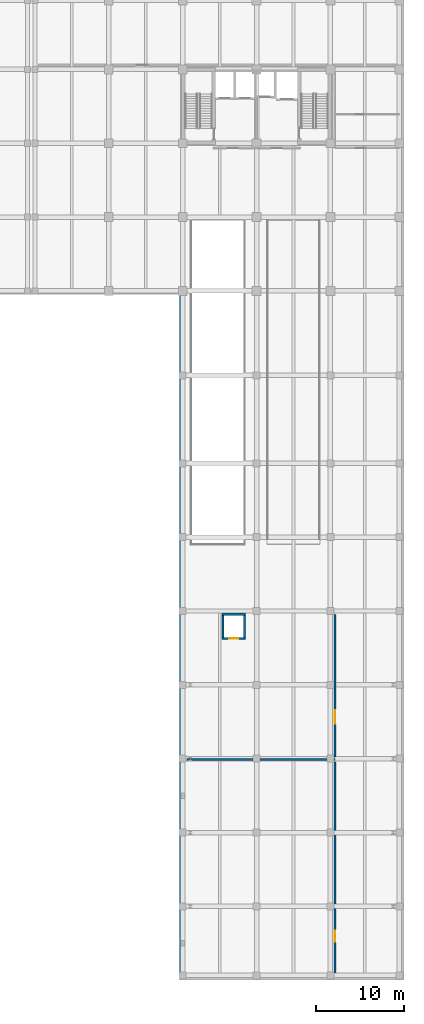
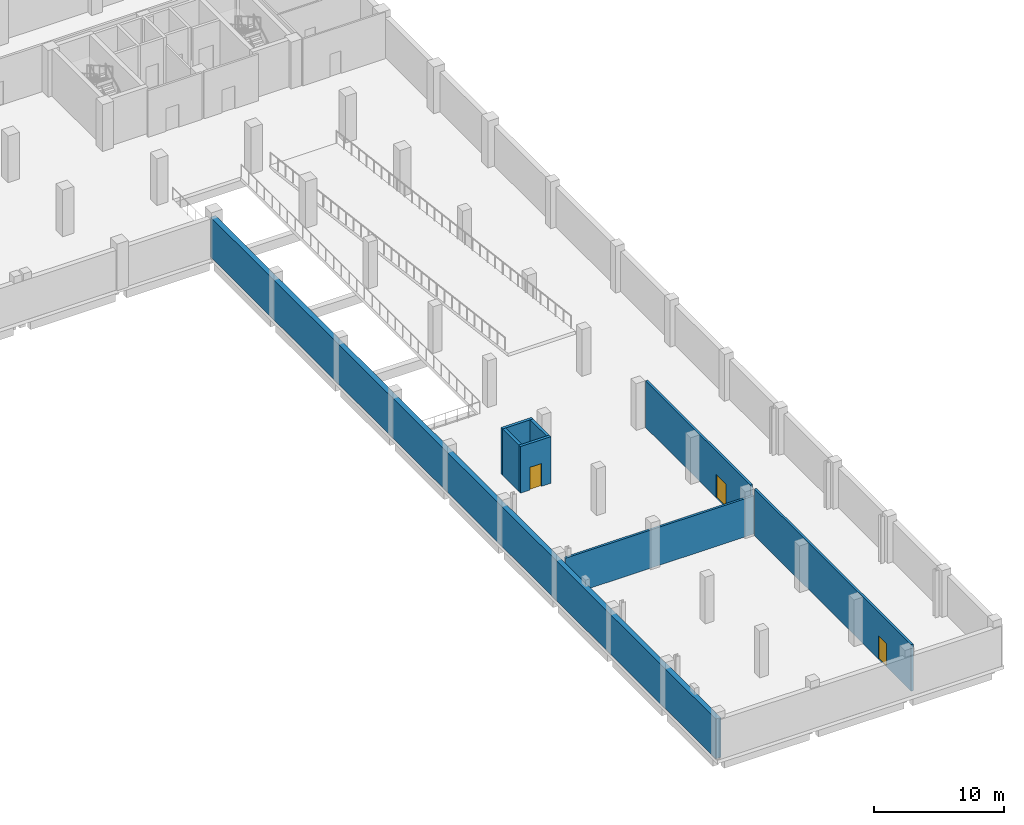
# One storey, part 11 of 17: 8 walls, 3 doors, 3 openings.
"""IFC4 building model written with IfcOpenShell, lengths in metres."""

from ifc_helpers import new_model, si_unit, direction, frame, frame_2d, origin, place, context, subcontext, project, spatial, rectangle, extrude, material, layer, layer_set, type_object, element, fill, save


model = new_model("IFC4")

# Units and contexts
model_context = context("Model", 3, precision=1e-05, world=origin(), true_north=direction((0.0, 1.0)))
body_context = subcontext(model_context, "Body", "Model", "MODEL_VIEW")
ifc_project = project(units=[si_unit("LENGTHUNIT", "METRE"), si_unit("AREAUNIT", "SQUARE_METRE"), si_unit("VOLUMEUNIT", "CUBIC_METRE"), si_unit("PLANEANGLEUNIT", "RADIAN"), si_unit("MASSUNIT", "GRAM", prefix="KILO")], contexts=[model_context])

# Site, building, storey
site_placement = place(None, origin())
site = spatial("IfcSite", under=ifc_project, at=site_placement, CompositionType="ELEMENT")
building_placement = place(site_placement, origin())
building = spatial("IfcBuilding", under=site, at=building_placement, Name="Brinegate Botanical Conservatory", CompositionType="ELEMENT")
storey_placement = place(building_placement, frame((0.0, 0.0, -4.800048828125)))
storey = spatial("IfcBuildingStorey", under=building, at=storey_placement, Name="B1", CompositionType="ELEMENT", Elevation=-4.800048828125)

# Wall, opening, door
ifc_material_1 = material(Name="Autoclaved aerated concrete C40/50 blockwork", Category="masonry")
ifc_layer_1 = layer(ifc_material_1, 0.199951171875, Name="Autoclaved aerated concrete C40/50 blockwork", Category="masonry")
ifc_layer_set_1 = layer_set([ifc_layer_1], Name="Autoclaved aerated concrete C40/50 blockwork")
wall_type_1 = type_object("IfcWallType", Name="Wall_PW-200F", PredefinedType="SOLIDWALL", material=ifc_layer_set_1)
wall_1_placement = place(storey_placement, frame((156.1201171875, 0.60009765625, 0.0), z_axis=(0.0, 0.0, 1.0), x_axis=(0.0, 1.0, 0.0)))
wall_1 = element("IfcWall", 1, at=wall_1_placement, inside=storey, type_object=wall_type_1, Name="Interior partition P-B1-SUBST-E", PredefinedType="SOLIDWALL", context=body_context, shape_type="SweptSolid", body=[
    extrude(rectangle(XDim=24.199951171875, YDim=0.199951171875, at=frame_2d((12.10009765625, 0.0))), origin(), (0.0, 0.0, 1.0), 4.39501953125),
])
opening_1_placement = place(wall_1_placement, frame((3.800048828125, 0.0, 0.0)))
opening_1 = element("IfcOpeningElement", 2, at=opening_1_placement, cuts=wall_1, Name="Opening FD-A1", PredefinedType="OPENING", context=body_context, shape_type="SweptSolid", body=[
    extrude(rectangle(XDim=1.25, YDim=2.199951171875, at=frame_2d((0.625, 1.10009765625))), frame((0.0, 0.10986328125, 0.0), z_axis=(0.0, -1.0, 0.0), x_axis=(1.0, 0.0, 0.0)), (0.0, 0.0, 1.0), 0.219970703125),
])
ifc_material_2 = material(Name="Steel fire-rated assembly", Category="steel")
door_type_1 = type_object("IfcDoorType", Name="Door_FD-A1", OperationType="NOTDEFINED", PredefinedType="DOOR", material=ifc_material_2)
door_1_placement = place(opening_1_placement, origin())
door_1 = element("IfcDoor", 3, at=door_1_placement, inside=storey, type_object=door_type_1, Name="DR-P-B1-SUBST-E-1", OperationType="SINGLE_SWING_LEFT", OverallHeight=2.199951171875, OverallWidth=1.25, PredefinedType="DOOR", context=body_context, shape_type="SweptSolid", body=[
    extrude(rectangle(XDim=1.25, YDim=2.199951171875, at=frame_2d((0.625, 1.10009765625))), frame((0.0, 0.02490234375, 0.0), z_axis=(0.0, -1.0, 0.0), x_axis=(1.0, 0.0, 0.0)), (0.0, 0.0, 1.0), 0.050048828125),
])
fill(opening_1, door_1)

wall_2_placement = place(storey_placement, frame((156.1201171875, 25.39990234375, 0.0), z_axis=(0.0, 0.0, 1.0), x_axis=(0.0, 1.0, 0.0)))
wall_2 = element("IfcWall", 4, at=wall_2_placement, inside=storey, type_object=wall_type_1, Name="Interior partition P-B1-LOAD-E", PredefinedType="SOLIDWALL", context=body_context, shape_type="SweptSolid", body=[
    extrude(rectangle(XDim=16.2001953125, YDim=0.199951171875, at=frame_2d((8.10009765625, 0.0))), origin(), (0.0, 0.0, 1.0), 4.39501953125),
])
opening_2_placement = place(wall_2_placement, frame((3.800048828125, 0.0, 0.0)))
opening_2 = element("IfcOpeningElement", 5, at=opening_2_placement, cuts=wall_2, Name="Opening FD-A2", PredefinedType="OPENING", context=body_context, shape_type="SweptSolid", body=[
    extrude(rectangle(XDim=1.5, YDim=2.199951171875, at=frame_2d((0.75, 1.10009765625))), frame((0.0, 0.10986328125, 0.0), z_axis=(0.0, -1.0, 0.0), x_axis=(1.0, 0.0, 0.0)), (0.0, 0.0, 1.0), 0.219970703125),
])
ifc_material_3 = material(Name="Steel fire-rated double-leaf assembly", Category="steel")
door_type_2 = type_object("IfcDoorType", Name="Door_FD-A2", OperationType="NOTDEFINED", PredefinedType="DOOR", material=ifc_material_3)
door_2_placement = place(opening_2_placement, origin())
door_2 = element("IfcDoor", 6, at=door_2_placement, inside=storey, type_object=door_type_2, Name="DR-P-B1-LOAD-E-1", OperationType="SINGLE_SWING_LEFT", OverallHeight=2.199951171875, OverallWidth=1.5, PredefinedType="DOOR", context=body_context, shape_type="SweptSolid", body=[
    extrude(rectangle(XDim=1.5, YDim=2.199951171875, at=frame_2d((0.75, 1.10009765625))), frame((0.0, 0.02490234375, 0.0), z_axis=(0.0, -1.0, 0.0), x_axis=(1.0, 0.0, 0.0)), (0.0, 0.0, 1.0), 0.050048828125),
])
fill(opening_2, door_2)

# Wall
wall_3_placement = place(storey_placement, frame((139.300048828125, 25.10009765625, 0.0), z_axis=(0.0, 0.0, 1.0), x_axis=(1.0, 0.0, 0.0)))
element("IfcWall", 7, at=wall_3_placement, inside=storey, type_object=wall_type_1, Name="Interior partition P-B1-DIV25", PredefinedType="SOLIDWALL", context=body_context, shape_type="SweptSolid", body=[
    extrude(rectangle(XDim=16.820068359375, YDim=0.199951171875, at=frame_2d((8.41015625, 0.0))), origin(), (0.0, 0.0, 1.0), 3.594970703125),
])

# Wall, opening, door
ifc_material_4 = material(Name="Concrete C40/50", Category="concrete")
ifc_layer_2 = layer(ifc_material_4, 0.25, Name="Concrete C40/50", Category="concrete")
ifc_layer_set_2 = layer_set([ifc_layer_2], Name="Concrete C40/50")
wall_type_2 = type_object("IfcWallType", Name="Wall_SW-250", PredefinedType="SHEAR", material=ifc_layer_set_2)
wall_4_placement = place(storey_placement, frame((143.25, 38.875, 0.0), z_axis=(0.0, 0.0, 1.0), x_axis=(1.0, 0.0, 0.0)))
wall_4 = element("IfcWall", 8, at=wall_4_placement, inside=storey, type_object=wall_type_2, Name="Lift shaft LF6 shear wall B1 S", PredefinedType="SHEAR", context=body_context, shape_type="SweptSolid", body=[
    extrude(rectangle(XDim=2.699951171875, YDim=0.25, at=frame_2d((1.35009765625, 0.0))), origin(), (0.0, 0.0, 1.0), 4.39501953125),
])
opening_3_placement = place(wall_4_placement, frame((0.8349609375, 0.0, 0.0)))
opening_3 = element("IfcOpeningElement", 9, at=opening_3_placement, cuts=wall_4, Name="Opening LD-06", PredefinedType="OPENING", context=body_context, shape_type="SweptSolid", body=[
    extrude(rectangle(XDim=1.030029296875, YDim=2.14990234375, at=frame_2d((0.51513671875, 1.074951171875))), frame((0.0, 0.135009765625, 0.0), z_axis=(0.0, -1.0, 0.0), x_axis=(1.0, 0.0, 0.0)), (0.0, 0.0, 1.0), 0.27001953125),
])
ifc_material_5 = material(Name="Brushed stainless steel S355 landing door", Category="steel")
door_type_3 = type_object("IfcDoorType", Name="Door_LD-06", OperationType="SLIDING_TO_LEFT", PredefinedType="DOOR", material=ifc_material_5)
door_3_placement = place(opening_3_placement, origin())
door_3 = element("IfcDoor", 10, at=door_3_placement, inside=storey, type_object=door_type_3, Name="LD-LF6-B1", OperationType="SLIDING_TO_LEFT", OverallHeight=2.14990234375, OverallWidth=1.030029296875, PredefinedType="DOOR", context=body_context, shape_type="SweptSolid", body=[
    extrude(rectangle(XDim=1.030029296875, YDim=2.14990234375, at=frame_2d((0.51513671875, 1.074951171875))), frame((0.0, 0.02490234375, 0.0), z_axis=(0.0, -1.0, 0.0), x_axis=(1.0, 0.0, 0.0)), (0.0, 0.0, 1.0), 0.050048828125),
])
fill(opening_3, door_3)

# Walls
wall_5_placement = place(storey_placement, frame((143.25, 41.625, 0.0), z_axis=(0.0, 0.0, 1.0), x_axis=(1.0, 0.0, 0.0)))
element("IfcWall", 11, at=wall_5_placement, inside=storey, type_object=wall_type_2, Name="Lift shaft LF6 shear wall B1 N", PredefinedType="SHEAR", context=body_context, shape_type="SweptSolid", body=[
    extrude(rectangle(XDim=2.699951171875, YDim=0.25, at=frame_2d((1.35009765625, 0.0))), origin(), (0.0, 0.0, 1.0), 4.39501953125),
])
for number, where, z_axis, x_axis, name in (
    (12, (143.375, 39.0, 0.0), (0.0, 0.0, 1.0), (0.0, 1.0, 0.0), "Lift shaft LF6 shear wall B1 W"),
    (13, (145.824951171875, 39.0, 0.0), (0.0, 0.0, 1.0), (0.0, 1.0, 0.0), "Lift shaft LF6 shear wall B1 E"),
):
    element("IfcWall", number, at=place(storey_placement, frame(where, z_axis=z_axis, x_axis=x_axis)), inside=storey, type_object=wall_type_2, Name=name, PredefinedType="SHEAR", context=body_context, shape_type="SweptSolid", body=[
        extrude(rectangle(XDim=2.5, YDim=0.25, at=frame_2d((1.25, 0.0))), origin(), (0.0, 0.0, 1.0), 4.39501953125),
    ])
ifc_material_6 = material(Name="Concrete C50/60", Category="concrete")
ifc_layer_3 = layer(ifc_material_6, 0.449951171875, Name="Concrete C50/60", Category="concrete")
ifc_layer_set_3 = layer_set([ifc_layer_3], Name="Concrete C50/60")
wall_type_3 = type_object("IfcWallType", Name="Wall_SW-450", PredefinedType="SHEAR", material=ifc_layer_set_3)
wall_6_placement = place(storey_placement, frame((138.64990234375, 78.25, 0.0), z_axis=(0.0, 0.0, 1.0), x_axis=(0.0, -1.0, 0.0)))
element("IfcWall", 14, at=wall_6_placement, inside=storey, type_object=wall_type_3, Name="Basement perimeter retaining shear wall B1.2", PredefinedType="SHEAR", context=body_context, shape_type="SweptSolid", body=[
    extrude(rectangle(XDim=77.989990234375, YDim=0.449951171875, at=frame_2d((38.9951171875, 0.0))), origin(), (0.0, 0.0, 1.0), 3.75),
])

save(model, "model.ifc")
